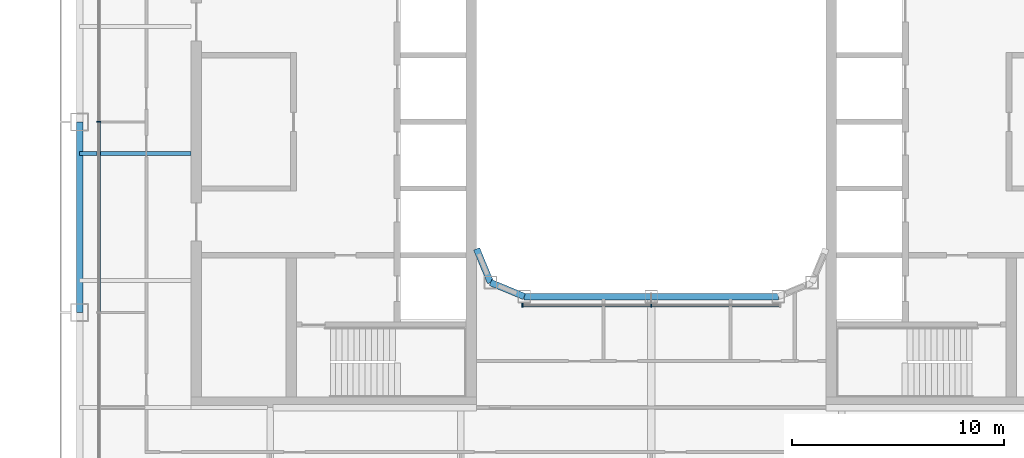
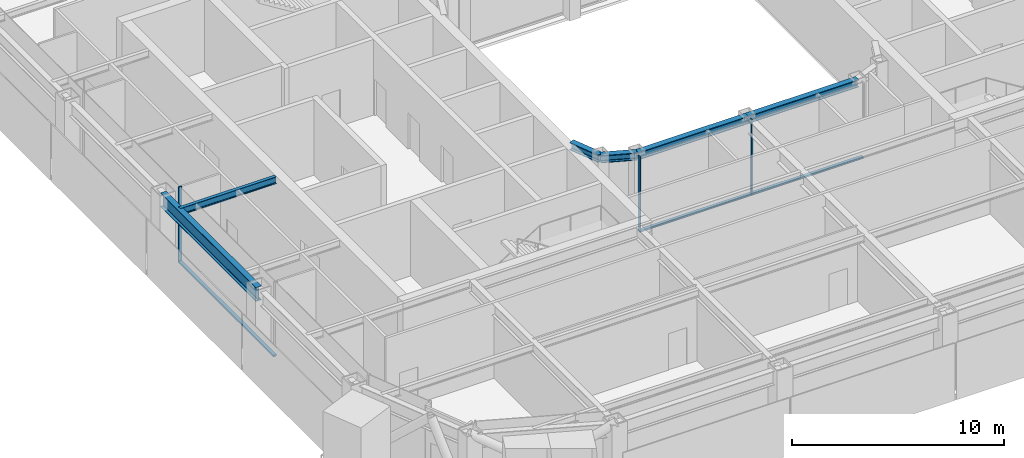
# One storey, part 3 of 23: 6 beams, 6 members, 2 elements without a shape of their own.
"""IFC4 building model written with IfcOpenShell, lengths in metres."""

from ifc_helpers import new_model, si_unit, direction, frame, origin, origin_2d, place, context, subcontext, project, spatial, rectangle, i_section, extrude, material, layer, layer_set, material_profile, profile_set, type_object, element, aggregate, save


model = new_model("IFC4")

# Units and contexts
model_context = context("Model", 3, precision=1e-05, world=origin(), true_north=direction((0.0, 1.0)))
body_context = subcontext(model_context, "Body", "Model", "MODEL_VIEW")
ifc_project = project(units=[si_unit("LENGTHUNIT", "METRE"), si_unit("AREAUNIT", "SQUARE_METRE"), si_unit("VOLUMEUNIT", "CUBIC_METRE"), si_unit("PLANEANGLEUNIT", "RADIAN"), si_unit("MASSUNIT", "GRAM", prefix="KILO")], contexts=[model_context])

# Site, building, storey
site_placement = place(None, origin())
site = spatial("IfcSite", under=ifc_project, at=site_placement, CompositionType="ELEMENT")
building_placement = place(site_placement, origin())
building = spatial("IfcBuilding", under=site, at=building_placement, Name="Siwar Civic Tower", CompositionType="ELEMENT")
storey_placement = place(building_placement, frame((0.0, 0.0, 233.199951171875)))
storey = spatial("IfcBuildingStorey", under=building, at=storey_placement, Name="L50", CompositionType="ELEMENT", Elevation=233.199951171875)

# Curtain wall, member
ifc_material_1 = material(Name="Aluminium and glass", Category="aluminium")
ifc_layer_1 = layer(ifc_material_1, 0.179931640625)
ifc_layer_set_1 = layer_set([ifc_layer_1], Name="Aluminium and glass")
curtain_wall_type_1 = type_object("IfcCurtainWallType", Name="ENV-CW-C", PredefinedType="NOTDEFINED", material=ifc_layer_set_1)
curtain_wall_1_placement = place(storey_placement, origin())
curtain_wall_1 = element("IfcCurtainWall", 1, at=curtain_wall_1_placement, inside=storey, type_object=curtain_wall_type_1, Name="Curtain wall C W", PredefinedType="NOTDEFINED")
ifc_material_2 = material(Name="Aluminium 6063-T6", Category="aluminium")
ifc_material_profile_1 = material_profile(ifc_material_2, rectangle(XDim=0.179931640625, YDim=0.06005859375, at=origin_2d()), Name="AL 180x60")
ifc_profile_set_1 = profile_set([ifc_material_profile_1], Name="Aluminium 6063-T6")
member_type_1 = type_object("IfcMemberType", Name="ENV-MULLION-C", PredefinedType="MULLION", material=ifc_profile_set_1)
member_1_placement = place(storey_placement, frame((-26.10009765625, 0.0, 0.0), z_axis=(0.0, 0.0, 1.0), x_axis=(1.0, 0.0, 0.0)))
member_1 = element("IfcMember", 2, at=member_1_placement, type_object=member_type_1, Name="Mullion C W 3", PredefinedType="MULLION", context=body_context, shape_type="SweptSolid", body=[
    extrude(rectangle(XDim=0.179931640625, YDim=0.06005859375, at=origin_2d()), origin(), (0.0, 0.0, 1.0), 4.35009765625),
])

# Curtain wall, members
ifc_material_3 = material(Name="Aluminium and glass", Category="aluminium")
ifc_layer_2 = layer(ifc_material_3, 0.179931640625)
ifc_layer_set_2 = layer_set([ifc_layer_2], Name="Aluminium and glass")
curtain_wall_type_2 = type_object("IfcCurtainWallType", Name="ENV-CW-W", PredefinedType="NOTDEFINED", material=ifc_layer_set_2)
curtain_wall_2_placement = place(storey_placement, origin())
curtain_wall_2 = element("IfcCurtainWall", 3, at=curtain_wall_2_placement, inside=storey, type_object=curtain_wall_type_2, Name="Curtain wall W WS", PredefinedType="NOTDEFINED")
ifc_material_4 = material(Name="Aluminium 6063-T6", Category="aluminium")
ifc_material_profile_2 = material_profile(ifc_material_4, rectangle(XDim=0.179931640625, YDim=0.06005859375, at=origin_2d()), Name="AL 180x60")
ifc_profile_set_2 = profile_set([ifc_material_profile_2], Name="Aluminium 6063-T6")
member_type_2 = type_object("IfcMemberType", Name="ENV-MULLION-W", PredefinedType="MULLION", material=ifc_profile_set_2)
member_2_placement = place(storey_placement, frame((-6.08154296875, -8.659912109375, 0.0), z_axis=(0.0, 0.0, 1.0), x_axis=(0.0, 1.0, 0.0)))
member_2 = element("IfcMember", 4, at=member_2_placement, type_object=member_type_2, Name="Mullion W WS 1", PredefinedType="MULLION", context=body_context, shape_type="SweptSolid", body=[
    extrude(rectangle(XDim=0.179931640625, YDim=0.06005859375, at=origin_2d()), origin(), (0.0, 0.0, 1.0), 4.35009765625),
])
member_3_placement = place(storey_placement, frame((0.0, -8.659912109375, 0.0), z_axis=(0.0, 0.0, 1.0), x_axis=(0.0, 1.0, 0.0)))
member_3 = element("IfcMember", 5, at=member_3_placement, type_object=member_type_2, Name="Mullion W WS 2", PredefinedType="MULLION", context=body_context, shape_type="SweptSolid", body=[
    extrude(rectangle(XDim=0.179931640625, YDim=0.06005859375, at=origin_2d()), origin(), (0.0, 0.0, 1.0), 4.35009765625),
])

# Member
ifc_material_5 = material(Name="Aluminium 6063-T6", Category="aluminium")
ifc_material_profile_3 = material_profile(ifc_material_5, rectangle(XDim=0.179931640625, YDim=0.10009765625, at=origin_2d()), Name="AL 180x100")
ifc_profile_set_3 = profile_set([ifc_material_profile_3], Name="Aluminium 6063-T6")
member_type_3 = type_object("IfcMemberType", Name="ENV-TRANSOM-C", PredefinedType="USERDEFINED", material=ifc_profile_set_3)
member_4_placement = place(storey_placement, frame((-26.10009765625, -0.030029296875, 0.050048828125), z_axis=(0.0, -1.0, 0.0), x_axis=(1.0, 0.0, 0.0)))
member_4 = element("IfcMember", 6, at=member_4_placement, type_object=member_type_3, Name="Transom C W 3", ObjectType="TRANSOM", PredefinedType="USERDEFINED", context=body_context, shape_type="SweptSolid", body=[
    extrude(rectangle(XDim=0.179931640625, YDim=0.10009765625, at=origin_2d()), origin(), (0.0, 0.0, 1.0), 8.93994140625),
])

aggregate(curtain_wall_1, [member_1, member_4])

ifc_material_6 = material(Name="Aluminium 6063-T6", Category="aluminium")
ifc_material_profile_4 = material_profile(ifc_material_6, rectangle(XDim=0.179931640625, YDim=0.10009765625, at=origin_2d()), Name="AL 180x100")
ifc_profile_set_4 = profile_set([ifc_material_profile_4], Name="Aluminium 6063-T6")
member_type_4 = type_object("IfcMemberType", Name="ENV-TRANSOM-W", PredefinedType="USERDEFINED", material=ifc_profile_set_4)
member_5_placement = place(storey_placement, frame((-6.051513671875, -8.659912109375, 0.050048828125), z_axis=(1.0, 0.0, 0.0), x_axis=(0.0, 1.0, 0.0)))
member_5 = element("IfcMember", 7, at=member_5_placement, type_object=member_type_4, Name="Transom W WS 1", ObjectType="TRANSOM", PredefinedType="USERDEFINED", context=body_context, shape_type="SweptSolid", body=[
    extrude(rectangle(XDim=0.179931640625, YDim=0.10009765625, at=origin_2d()), origin(), (0.0, 0.0, 1.0), 6.021484375),
])

member_6_placement = place(storey_placement, frame((0.030029296875, -8.659912109375, 0.050048828125), z_axis=(1.0, 0.0, 0.0), x_axis=(0.0, 1.0, 0.0)))
member_6 = element("IfcMember", 8, at=member_6_placement, type_object=member_type_4, Name="Transom W WS 2", ObjectType="TRANSOM", PredefinedType="USERDEFINED", context=body_context, shape_type="SweptSolid", body=[
    extrude(rectangle(XDim=0.179931640625, YDim=0.10009765625, at=origin_2d()), origin(), (0.0, 0.0, 1.0), 6.021484375),
])

aggregate(curtain_wall_2, [member_2, member_3, member_5, member_6])

# Beams
ifc_material_7 = material(Name="Steel S355", Category="steel")
ifc_material_profile_5 = material_profile(ifc_material_7, i_section(OverallWidth=0.179931640625, OverallDepth=0.39990234375, WebThickness=0.008544921875, FlangeThickness=0.013427734375, FilletRadius=0.02099609375, at=origin_2d()), Name="IPE400")
ifc_profile_set_5 = profile_set([ifc_material_profile_5], Name="Steel S355")
beam_type_1 = type_object("IfcBeamType", Name="STR-FB-IPE400", PredefinedType="JOIST", material=ifc_profile_set_5)
beam_1_placement = place(storey_placement, frame((-27.0, -1.5, 4.150146484375), z_axis=(1.0, 0.0, 0.0), x_axis=(0.0, 1.0, 0.0)))
element("IfcBeam", 9, at=beam_1_placement, inside=storey, type_object=beam_type_1, Name="L50/bm/F023", PredefinedType="JOIST", context=body_context, shape_type="SweptSolid", body=[
    extrude(i_section(OverallWidth=0.179931640625, OverallDepth=0.39990234375, WebThickness=0.008544921875, FlangeThickness=0.013427734375, FilletRadius=0.02099609375, at=origin_2d()), origin(), (0.0, 0.0, 1.0), 5.25),
])
ifc_material_8 = material(Name="Steel S355", Category="steel")
ifc_material_profile_6 = material_profile(ifc_material_8, i_section(OverallWidth=0.306884765625, OverallDepth=0.431884765625, WebThickness=0.02099609375, FlangeThickness=0.0400390625, FilletRadius=0.027099609375, at=origin_2d()), Name="HEM400")
ifc_profile_set_6 = profile_set([ifc_material_profile_6], Name="Steel S355")
beam_type_2 = type_object("IfcBeamType", Name="STR-RB-HEM400", PredefinedType="BEAM", material=ifc_profile_set_6)
beam_2_placement = place(storey_placement, frame((-7.591064453125, -7.591064453125, 4.134033203125), z_axis=(0.923901072997, -0.382631424892, 0.0), x_axis=(0.382631424892, 0.923901072997, 0.0)))
element("IfcBeam", 10, at=beam_2_placement, inside=storey, type_object=beam_type_2, Name="L50/bm/RS0", PredefinedType="BEAM", context=body_context, shape_type="SweptSolid", body=[
    extrude(i_section(OverallWidth=0.306884765625, OverallDepth=0.431884765625, WebThickness=0.02099609375, FlangeThickness=0.0400390625, FilletRadius=0.027099609375, at=origin_2d()), origin(), (0.0, 0.0, 1.0), 1.72216796875),
])
for number, where, z_axis, x_axis, name in (
    (11, (-6.0, -8.25, 4.134033203125), (1.0, 0.0, 0.0), (0.0, 1.0, 0.0), "L50/bm/RS1"),
    (12, (0.0, -8.25, 4.134033203125), (1.0, 0.0, 0.0), (0.0, 1.0, 0.0), "L50/bm/RS2"),
):
    element("IfcBeam", number, at=place(storey_placement, frame(where, z_axis=z_axis, x_axis=x_axis)), inside=storey, type_object=beam_type_2, Name=name, PredefinedType="BEAM", context=body_context, shape_type="SweptSolid", body=[
        extrude(i_section(OverallWidth=0.306884765625, OverallDepth=0.431884765625, WebThickness=0.02099609375, FlangeThickness=0.0400390625, FilletRadius=0.027099609375, at=origin_2d()), origin(), (0.0, 0.0, 1.0), 6.0),
    ])
beam_3_placement = place(storey_placement, frame((-7.591064453125, -7.591064453125, 4.134033203125), z_axis=(-0.382631424892, 0.923901072997, 0.0), x_axis=(-0.923901072997, -0.382631424892, 0.0)))
element("IfcBeam", 13, at=beam_3_placement, inside=storey, type_object=beam_type_2, Name="L50/bm/RSEW", PredefinedType="BEAM", context=body_context, shape_type="SweptSolid", body=[
    extrude(i_section(OverallWidth=0.306884765625, OverallDepth=0.431884765625, WebThickness=0.02099609375, FlangeThickness=0.0400390625, FilletRadius=0.027099609375, at=origin_2d()), origin(), (0.0, 0.0, 1.0), 1.72216796875),
])
ifc_material_9 = material(Name="Steel S355", Category="steel")
ifc_material_profile_7 = material_profile(ifc_material_9, i_section(OverallWidth=0.300048828125, OverallDepth=0.800048828125, WebThickness=0.017578125, FlangeThickness=0.032958984375, FilletRadius=0.030029296875, at=origin_2d()), Name="HEB800")
ifc_profile_set_7 = profile_set([ifc_material_profile_7], Name="Steel S355")
beam_type_3 = type_object("IfcBeamType", Name="STR-SB-HEB800", PredefinedType="BEAM", material=ifc_profile_set_7)
beam_4_placement = place(storey_placement, frame((-27.0, 0.0, 3.949951171875), z_axis=(0.0, -1.0, 0.0), x_axis=(1.0, 0.0, 0.0)))
element("IfcBeam", 14, at=beam_4_placement, inside=storey, type_object=beam_type_3, Name="L50/bm/SW-2", PredefinedType="BEAM", context=body_context, shape_type="SweptSolid", body=[
    extrude(i_section(OverallWidth=0.300048828125, OverallDepth=0.800048828125, WebThickness=0.017578125, FlangeThickness=0.032958984375, FilletRadius=0.030029296875, at=origin_2d()), origin(), (0.0, 0.0, 1.0), 9.0),
])

save(model, "model.ifc")
